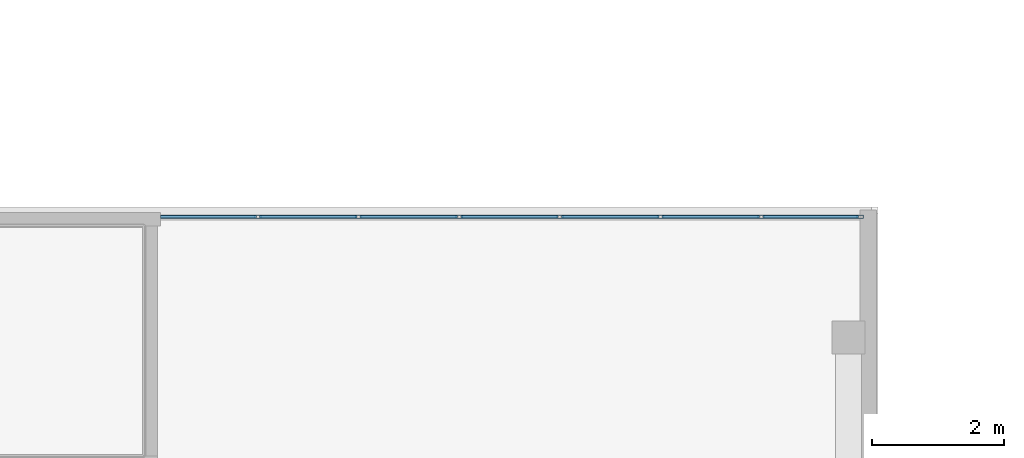
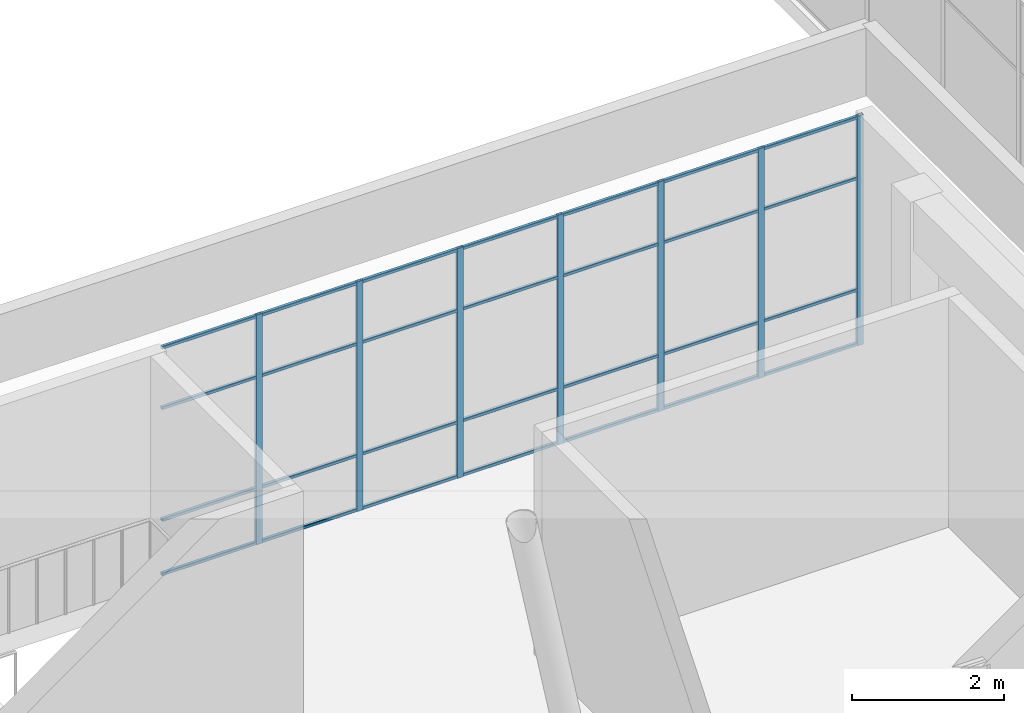
# One storey, part 31 of 72: 35 members, 1 element without a shape of its own.
"""IFC4 building model written with IfcOpenShell, lengths in metres."""

from ifc_helpers import new_model, si_unit, direction, frame, origin, origin_2d, place, context, subcontext, project, spatial, hollow_rectangle, extrude, material, layer, layer_set, material_profile, profile_set, type_object, element, aggregate, save


model = new_model("IFC4")

# Units and contexts
model_context = context("Model", 3, precision=1e-05, world=origin(), true_north=direction((0.0, 1.0)))
body_context = subcontext(model_context, "Body", "Model", "MODEL_VIEW")
ifc_project = project(units=[si_unit("LENGTHUNIT", "METRE"), si_unit("AREAUNIT", "SQUARE_METRE"), si_unit("VOLUMEUNIT", "CUBIC_METRE"), si_unit("PLANEANGLEUNIT", "RADIAN"), si_unit("MASSUNIT", "GRAM", prefix="KILO")], contexts=[model_context])

# Site, building, storey
site_placement = place(None, origin())
site = spatial("IfcSite", under=ifc_project, at=site_placement, CompositionType="ELEMENT")
building_placement = place(site_placement, origin())
building = spatial("IfcBuilding", under=site, at=building_placement, Name="Tuart Plaza Theatre", CompositionType="ELEMENT")
storey_placement = place(building_placement, frame((0.0, 0.0, 13.5)))
storey = spatial("IfcBuildingStorey", under=building, at=storey_placement, Name="L03", CompositionType="ELEMENT", Elevation=13.5)

# Curtain wall, members
ifc_material_1 = material(Name="Aluminium and glass", Category="aluminium")
ifc_layer = layer(ifc_material_1, 0.10009765625)
ifc_layer_set = layer_set([ifc_layer], Name="CURTAIN WALL 1500 module")
curtain_wall_type = type_object("IfcCurtainWallType", Name="CURTAIN WALL 1500 module", PredefinedType="NOTDEFINED", material=ifc_layer_set)
curtain_wall_placement = place(storey_placement, origin())
curtain_wall = element("IfcCurtainWall", 1, at=curtain_wall_placement, inside=storey, type_object=curtain_wall_type, Name="CW45", PredefinedType="NOTDEFINED")
ifc_material_2 = material(Name="Aluminium 6063-T5", Category="aluminium")
ifc_material_profile_1 = material_profile(ifc_material_2, hollow_rectangle(XDim=0.050048828125, YDim=0.10009765625, WallThickness=0.00390625, InnerFilletRadius=0.00390625, OuterFilletRadius=0.008056640625, at=origin_2d()), Name="RHS 100x50x4")
ifc_profile_set_1 = profile_set([ifc_material_profile_1], Name="Aluminium 6063-T5")
member_type_1 = type_object("IfcMemberType", Name="MULLION RHS 100x50x4", PredefinedType="MULLION", material=ifc_profile_set_1)
member_1_placement = place(storey_placement, frame((100.930419921875, 79.8369140625, 0.0), z_axis=(0.0, 0.0, 1.0), x_axis=(0.0, 1.0, 0.0)))
member_1 = element("IfcMember", 2, at=member_1_placement, type_object=member_type_1, Name="CW45 mullion 2", PredefinedType="MULLION", context=body_context, shape_type="SweptSolid", body=[
    extrude(hollow_rectangle(XDim=0.050048828125, YDim=0.10009765625, WallThickness=0.00390625, InnerFilletRadius=0.00390625, OuterFilletRadius=0.008056640625, at=origin_2d()), origin(), (0.0, 0.0, 1.0), 3.699951171875),
])
member_2_placement = place(storey_placement, frame((102.4609375, 79.8369140625, 0.0), z_axis=(0.0, 0.0, 1.0), x_axis=(0.0, 1.0, 0.0)))
member_2 = element("IfcMember", 3, at=member_2_placement, type_object=member_type_1, Name="CW45 mullion 3", PredefinedType="MULLION", context=body_context, shape_type="SweptSolid", body=[
    extrude(hollow_rectangle(XDim=0.050048828125, YDim=0.10009765625, WallThickness=0.00390625, InnerFilletRadius=0.00390625, OuterFilletRadius=0.008056640625, at=origin_2d()), origin(), (0.0, 0.0, 1.0), 3.699951171875),
])
member_3_placement = place(storey_placement, frame((103.9912109375, 79.8369140625, 0.0), z_axis=(0.0, 0.0, 1.0), x_axis=(0.0, 1.0, 0.0)))
member_3 = element("IfcMember", 4, at=member_3_placement, type_object=member_type_1, Name="CW45 mullion 4", PredefinedType="MULLION", context=body_context, shape_type="SweptSolid", body=[
    extrude(hollow_rectangle(XDim=0.050048828125, YDim=0.10009765625, WallThickness=0.00390625, InnerFilletRadius=0.00390625, OuterFilletRadius=0.008056640625, at=origin_2d()), origin(), (0.0, 0.0, 1.0), 3.699951171875),
])
member_4_placement = place(storey_placement, frame((105.521728515625, 79.8369140625, 0.0), z_axis=(0.0, 0.0, 1.0), x_axis=(0.0, 1.0, 0.0)))
member_4 = element("IfcMember", 5, at=member_4_placement, type_object=member_type_1, Name="CW45 mullion 5", PredefinedType="MULLION", context=body_context, shape_type="SweptSolid", body=[
    extrude(hollow_rectangle(XDim=0.050048828125, YDim=0.10009765625, WallThickness=0.00390625, InnerFilletRadius=0.00390625, OuterFilletRadius=0.008056640625, at=origin_2d()), origin(), (0.0, 0.0, 1.0), 3.699951171875),
])
member_5_placement = place(storey_placement, frame((107.05224609375, 79.8369140625, 0.0), z_axis=(0.0, 0.0, 1.0), x_axis=(0.0, 1.0, 0.0)))
member_5 = element("IfcMember", 6, at=member_5_placement, type_object=member_type_1, Name="CW45 mullion 6", PredefinedType="MULLION", context=body_context, shape_type="SweptSolid", body=[
    extrude(hollow_rectangle(XDim=0.050048828125, YDim=0.10009765625, WallThickness=0.00390625, InnerFilletRadius=0.00390625, OuterFilletRadius=0.008056640625, at=origin_2d()), origin(), (0.0, 0.0, 1.0), 3.699951171875),
])
member_6_placement = place(storey_placement, frame((108.58251953125, 79.8369140625, 0.0), z_axis=(0.0, 0.0, 1.0), x_axis=(0.0, 1.0, 0.0)))
member_6 = element("IfcMember", 7, at=member_6_placement, type_object=member_type_1, Name="CW45 mullion 7", PredefinedType="MULLION", context=body_context, shape_type="SweptSolid", body=[
    extrude(hollow_rectangle(XDim=0.050048828125, YDim=0.10009765625, WallThickness=0.00390625, InnerFilletRadius=0.00390625, OuterFilletRadius=0.008056640625, at=origin_2d()), origin(), (0.0, 0.0, 1.0), 3.699951171875),
])
member_7_placement = place(storey_placement, frame((110.087890625, 79.8369140625, 0.0), z_axis=(0.0, 0.0, 1.0), x_axis=(0.0, 1.0, 0.0)))
member_7 = element("IfcMember", 8, at=member_7_placement, type_object=member_type_1, Name="CW45 mullion 8", PredefinedType="MULLION", context=body_context, shape_type="SweptSolid", body=[
    extrude(hollow_rectangle(XDim=0.050048828125, YDim=0.10009765625, WallThickness=0.00390625, InnerFilletRadius=0.00390625, OuterFilletRadius=0.008056640625, at=origin_2d()), origin(), (0.0, 0.0, 1.0), 3.699951171875),
])
ifc_material_3 = material(Name="Aluminium 6063-T5", Category="aluminium")
ifc_material_profile_2 = material_profile(ifc_material_3, hollow_rectangle(XDim=0.050048828125, YDim=0.050048828125, WallThickness=0.00390625, InnerFilletRadius=0.00390625, OuterFilletRadius=0.008056640625, at=origin_2d()), Name="RHS 50x50x4")
ifc_profile_set_2 = profile_set([ifc_material_profile_2], Name="Aluminium 6063-T5")
member_type_2 = type_object("IfcMemberType", Name="TRANSOM RHS 50x50x4", PredefinedType="USERDEFINED", material=ifc_profile_set_2)
member_8_placement = place(storey_placement, frame((99.449951171875, 79.8369140625, 0.02490234375), z_axis=(1.0, 0.0, 0.0), x_axis=(0.0, 1.0, 0.0)))
member_8 = element("IfcMember", 9, at=member_8_placement, type_object=member_type_2, Name="CW45 transom 1.1", ObjectType="TRANSOM", PredefinedType="USERDEFINED", context=body_context, shape_type="SweptSolid", body=[
    extrude(hollow_rectangle(XDim=0.050048828125, YDim=0.050048828125, WallThickness=0.00390625, InnerFilletRadius=0.00390625, OuterFilletRadius=0.008056640625, at=origin_2d()), origin(), (0.0, 0.0, 1.0), 1.45556640625),
])
member_9_placement = place(storey_placement, frame((99.449951171875, 79.8369140625, 0.89990234375), z_axis=(1.0, 0.0, 0.0), x_axis=(0.0, 1.0, 0.0)))
member_9 = element("IfcMember", 10, at=member_9_placement, type_object=member_type_2, Name="CW45 transom 1.2", ObjectType="TRANSOM", PredefinedType="USERDEFINED", context=body_context, shape_type="SweptSolid", body=[
    extrude(hollow_rectangle(XDim=0.050048828125, YDim=0.050048828125, WallThickness=0.00390625, InnerFilletRadius=0.00390625, OuterFilletRadius=0.008056640625, at=origin_2d()), origin(), (0.0, 0.0, 1.0), 1.45556640625),
])
member_10_placement = place(storey_placement, frame((99.449951171875, 79.8369140625, 2.699951171875), z_axis=(1.0, 0.0, 0.0), x_axis=(0.0, 1.0, 0.0)))
member_10 = element("IfcMember", 11, at=member_10_placement, type_object=member_type_2, Name="CW45 transom 1.3", ObjectType="TRANSOM", PredefinedType="USERDEFINED", context=body_context, shape_type="SweptSolid", body=[
    extrude(hollow_rectangle(XDim=0.050048828125, YDim=0.050048828125, WallThickness=0.00390625, InnerFilletRadius=0.00390625, OuterFilletRadius=0.008056640625, at=origin_2d()), origin(), (0.0, 0.0, 1.0), 1.45556640625),
])
member_11_placement = place(storey_placement, frame((99.449951171875, 79.8369140625, 3.675048828125), z_axis=(1.0, 0.0, 0.0), x_axis=(0.0, 1.0, 0.0)))
member_11 = element("IfcMember", 12, at=member_11_placement, type_object=member_type_2, Name="CW45 transom 1.4", ObjectType="TRANSOM", PredefinedType="USERDEFINED", context=body_context, shape_type="SweptSolid", body=[
    extrude(hollow_rectangle(XDim=0.050048828125, YDim=0.050048828125, WallThickness=0.00390625, InnerFilletRadius=0.00390625, OuterFilletRadius=0.008056640625, at=origin_2d()), origin(), (0.0, 0.0, 1.0), 1.45556640625),
])
member_12_placement = place(storey_placement, frame((100.955322265625, 79.8369140625, 0.02490234375), z_axis=(1.0, 0.0, 0.0), x_axis=(0.0, 1.0, 0.0)))
member_12 = element("IfcMember", 13, at=member_12_placement, type_object=member_type_2, Name="CW45 transom 2.1", ObjectType="TRANSOM", PredefinedType="USERDEFINED", context=body_context, shape_type="SweptSolid", body=[
    extrude(hollow_rectangle(XDim=0.050048828125, YDim=0.050048828125, WallThickness=0.00390625, InnerFilletRadius=0.00390625, OuterFilletRadius=0.008056640625, at=origin_2d()), origin(), (0.0, 0.0, 1.0), 1.48046875),
])
member_13_placement = place(storey_placement, frame((100.955322265625, 79.8369140625, 0.89990234375), z_axis=(1.0, 0.0, 0.0), x_axis=(0.0, 1.0, 0.0)))
member_13 = element("IfcMember", 14, at=member_13_placement, type_object=member_type_2, Name="CW45 transom 2.2", ObjectType="TRANSOM", PredefinedType="USERDEFINED", context=body_context, shape_type="SweptSolid", body=[
    extrude(hollow_rectangle(XDim=0.050048828125, YDim=0.050048828125, WallThickness=0.00390625, InnerFilletRadius=0.00390625, OuterFilletRadius=0.008056640625, at=origin_2d()), origin(), (0.0, 0.0, 1.0), 1.48046875),
])
member_14_placement = place(storey_placement, frame((100.955322265625, 79.8369140625, 2.699951171875), z_axis=(1.0, 0.0, 0.0), x_axis=(0.0, 1.0, 0.0)))
member_14 = element("IfcMember", 15, at=member_14_placement, type_object=member_type_2, Name="CW45 transom 2.3", ObjectType="TRANSOM", PredefinedType="USERDEFINED", context=body_context, shape_type="SweptSolid", body=[
    extrude(hollow_rectangle(XDim=0.050048828125, YDim=0.050048828125, WallThickness=0.00390625, InnerFilletRadius=0.00390625, OuterFilletRadius=0.008056640625, at=origin_2d()), origin(), (0.0, 0.0, 1.0), 1.48046875),
])
member_15_placement = place(storey_placement, frame((100.955322265625, 79.8369140625, 3.675048828125), z_axis=(1.0, 0.0, 0.0), x_axis=(0.0, 1.0, 0.0)))
member_15 = element("IfcMember", 16, at=member_15_placement, type_object=member_type_2, Name="CW45 transom 2.4", ObjectType="TRANSOM", PredefinedType="USERDEFINED", context=body_context, shape_type="SweptSolid", body=[
    extrude(hollow_rectangle(XDim=0.050048828125, YDim=0.050048828125, WallThickness=0.00390625, InnerFilletRadius=0.00390625, OuterFilletRadius=0.008056640625, at=origin_2d()), origin(), (0.0, 0.0, 1.0), 1.48046875),
])
member_16_placement = place(storey_placement, frame((102.48583984375, 79.8369140625, 0.02490234375), z_axis=(1.0, 0.0, 0.0), x_axis=(0.0, 1.0, 0.0)))
member_16 = element("IfcMember", 17, at=member_16_placement, type_object=member_type_2, Name="CW45 transom 3.1", ObjectType="TRANSOM", PredefinedType="USERDEFINED", context=body_context, shape_type="SweptSolid", body=[
    extrude(hollow_rectangle(XDim=0.050048828125, YDim=0.050048828125, WallThickness=0.00390625, InnerFilletRadius=0.00390625, OuterFilletRadius=0.008056640625, at=origin_2d()), origin(), (0.0, 0.0, 1.0), 1.48046875),
])
member_17_placement = place(storey_placement, frame((102.48583984375, 79.8369140625, 0.89990234375), z_axis=(1.0, 0.0, 0.0), x_axis=(0.0, 1.0, 0.0)))
member_17 = element("IfcMember", 18, at=member_17_placement, type_object=member_type_2, Name="CW45 transom 3.2", ObjectType="TRANSOM", PredefinedType="USERDEFINED", context=body_context, shape_type="SweptSolid", body=[
    extrude(hollow_rectangle(XDim=0.050048828125, YDim=0.050048828125, WallThickness=0.00390625, InnerFilletRadius=0.00390625, OuterFilletRadius=0.008056640625, at=origin_2d()), origin(), (0.0, 0.0, 1.0), 1.48046875),
])
member_18_placement = place(storey_placement, frame((102.48583984375, 79.8369140625, 2.699951171875), z_axis=(1.0, 0.0, 0.0), x_axis=(0.0, 1.0, 0.0)))
member_18 = element("IfcMember", 19, at=member_18_placement, type_object=member_type_2, Name="CW45 transom 3.3", ObjectType="TRANSOM", PredefinedType="USERDEFINED", context=body_context, shape_type="SweptSolid", body=[
    extrude(hollow_rectangle(XDim=0.050048828125, YDim=0.050048828125, WallThickness=0.00390625, InnerFilletRadius=0.00390625, OuterFilletRadius=0.008056640625, at=origin_2d()), origin(), (0.0, 0.0, 1.0), 1.48046875),
])
member_19_placement = place(storey_placement, frame((102.48583984375, 79.8369140625, 3.675048828125), z_axis=(1.0, 0.0, 0.0), x_axis=(0.0, 1.0, 0.0)))
member_19 = element("IfcMember", 20, at=member_19_placement, type_object=member_type_2, Name="CW45 transom 3.4", ObjectType="TRANSOM", PredefinedType="USERDEFINED", context=body_context, shape_type="SweptSolid", body=[
    extrude(hollow_rectangle(XDim=0.050048828125, YDim=0.050048828125, WallThickness=0.00390625, InnerFilletRadius=0.00390625, OuterFilletRadius=0.008056640625, at=origin_2d()), origin(), (0.0, 0.0, 1.0), 1.48046875),
])
member_20_placement = place(storey_placement, frame((104.016357421875, 79.8369140625, 0.02490234375), z_axis=(1.0, 0.0, 0.0), x_axis=(0.0, 1.0, 0.0)))
member_20 = element("IfcMember", 21, at=member_20_placement, type_object=member_type_2, Name="CW45 transom 4.1", ObjectType="TRANSOM", PredefinedType="USERDEFINED", context=body_context, shape_type="SweptSolid", body=[
    extrude(hollow_rectangle(XDim=0.050048828125, YDim=0.050048828125, WallThickness=0.00390625, InnerFilletRadius=0.00390625, OuterFilletRadius=0.008056640625, at=origin_2d()), origin(), (0.0, 0.0, 1.0), 1.48046875),
])
member_21_placement = place(storey_placement, frame((104.016357421875, 79.8369140625, 0.89990234375), z_axis=(1.0, 0.0, 0.0), x_axis=(0.0, 1.0, 0.0)))
member_21 = element("IfcMember", 22, at=member_21_placement, type_object=member_type_2, Name="CW45 transom 4.2", ObjectType="TRANSOM", PredefinedType="USERDEFINED", context=body_context, shape_type="SweptSolid", body=[
    extrude(hollow_rectangle(XDim=0.050048828125, YDim=0.050048828125, WallThickness=0.00390625, InnerFilletRadius=0.00390625, OuterFilletRadius=0.008056640625, at=origin_2d()), origin(), (0.0, 0.0, 1.0), 1.48046875),
])
member_22_placement = place(storey_placement, frame((104.016357421875, 79.8369140625, 2.699951171875), z_axis=(1.0, 0.0, 0.0), x_axis=(0.0, 1.0, 0.0)))
member_22 = element("IfcMember", 23, at=member_22_placement, type_object=member_type_2, Name="CW45 transom 4.3", ObjectType="TRANSOM", PredefinedType="USERDEFINED", context=body_context, shape_type="SweptSolid", body=[
    extrude(hollow_rectangle(XDim=0.050048828125, YDim=0.050048828125, WallThickness=0.00390625, InnerFilletRadius=0.00390625, OuterFilletRadius=0.008056640625, at=origin_2d()), origin(), (0.0, 0.0, 1.0), 1.48046875),
])
member_23_placement = place(storey_placement, frame((104.016357421875, 79.8369140625, 3.675048828125), z_axis=(1.0, 0.0, 0.0), x_axis=(0.0, 1.0, 0.0)))
member_23 = element("IfcMember", 24, at=member_23_placement, type_object=member_type_2, Name="CW45 transom 4.4", ObjectType="TRANSOM", PredefinedType="USERDEFINED", context=body_context, shape_type="SweptSolid", body=[
    extrude(hollow_rectangle(XDim=0.050048828125, YDim=0.050048828125, WallThickness=0.00390625, InnerFilletRadius=0.00390625, OuterFilletRadius=0.008056640625, at=origin_2d()), origin(), (0.0, 0.0, 1.0), 1.48046875),
])
member_24_placement = place(storey_placement, frame((105.546630859375, 79.8369140625, 0.02490234375), z_axis=(1.0, 0.0, 0.0), x_axis=(0.0, 1.0, 0.0)))
member_24 = element("IfcMember", 25, at=member_24_placement, type_object=member_type_2, Name="CW45 transom 5.1", ObjectType="TRANSOM", PredefinedType="USERDEFINED", context=body_context, shape_type="SweptSolid", body=[
    extrude(hollow_rectangle(XDim=0.050048828125, YDim=0.050048828125, WallThickness=0.00390625, InnerFilletRadius=0.00390625, OuterFilletRadius=0.008056640625, at=origin_2d()), origin(), (0.0, 0.0, 1.0), 1.48046875),
])
member_25_placement = place(storey_placement, frame((105.546630859375, 79.8369140625, 0.89990234375), z_axis=(1.0, 0.0, 0.0), x_axis=(0.0, 1.0, 0.0)))
member_25 = element("IfcMember", 26, at=member_25_placement, type_object=member_type_2, Name="CW45 transom 5.2", ObjectType="TRANSOM", PredefinedType="USERDEFINED", context=body_context, shape_type="SweptSolid", body=[
    extrude(hollow_rectangle(XDim=0.050048828125, YDim=0.050048828125, WallThickness=0.00390625, InnerFilletRadius=0.00390625, OuterFilletRadius=0.008056640625, at=origin_2d()), origin(), (0.0, 0.0, 1.0), 1.48046875),
])
member_26_placement = place(storey_placement, frame((105.546630859375, 79.8369140625, 2.699951171875), z_axis=(1.0, 0.0, 0.0), x_axis=(0.0, 1.0, 0.0)))
member_26 = element("IfcMember", 27, at=member_26_placement, type_object=member_type_2, Name="CW45 transom 5.3", ObjectType="TRANSOM", PredefinedType="USERDEFINED", context=body_context, shape_type="SweptSolid", body=[
    extrude(hollow_rectangle(XDim=0.050048828125, YDim=0.050048828125, WallThickness=0.00390625, InnerFilletRadius=0.00390625, OuterFilletRadius=0.008056640625, at=origin_2d()), origin(), (0.0, 0.0, 1.0), 1.48046875),
])
member_27_placement = place(storey_placement, frame((105.546630859375, 79.8369140625, 3.675048828125), z_axis=(1.0, 0.0, 0.0), x_axis=(0.0, 1.0, 0.0)))
member_27 = element("IfcMember", 28, at=member_27_placement, type_object=member_type_2, Name="CW45 transom 5.4", ObjectType="TRANSOM", PredefinedType="USERDEFINED", context=body_context, shape_type="SweptSolid", body=[
    extrude(hollow_rectangle(XDim=0.050048828125, YDim=0.050048828125, WallThickness=0.00390625, InnerFilletRadius=0.00390625, OuterFilletRadius=0.008056640625, at=origin_2d()), origin(), (0.0, 0.0, 1.0), 1.48046875),
])
member_28_placement = place(storey_placement, frame((107.0771484375, 79.8369140625, 0.02490234375), z_axis=(1.0, 0.0, 0.0), x_axis=(0.0, 1.0, 0.0)))
member_28 = element("IfcMember", 29, at=member_28_placement, type_object=member_type_2, Name="CW45 transom 6.1", ObjectType="TRANSOM", PredefinedType="USERDEFINED", context=body_context, shape_type="SweptSolid", body=[
    extrude(hollow_rectangle(XDim=0.050048828125, YDim=0.050048828125, WallThickness=0.00390625, InnerFilletRadius=0.00390625, OuterFilletRadius=0.008056640625, at=origin_2d()), origin(), (0.0, 0.0, 1.0), 1.48046875),
])
member_29_placement = place(storey_placement, frame((107.0771484375, 79.8369140625, 0.89990234375), z_axis=(1.0, 0.0, 0.0), x_axis=(0.0, 1.0, 0.0)))
member_29 = element("IfcMember", 30, at=member_29_placement, type_object=member_type_2, Name="CW45 transom 6.2", ObjectType="TRANSOM", PredefinedType="USERDEFINED", context=body_context, shape_type="SweptSolid", body=[
    extrude(hollow_rectangle(XDim=0.050048828125, YDim=0.050048828125, WallThickness=0.00390625, InnerFilletRadius=0.00390625, OuterFilletRadius=0.008056640625, at=origin_2d()), origin(), (0.0, 0.0, 1.0), 1.48046875),
])
member_30_placement = place(storey_placement, frame((107.0771484375, 79.8369140625, 2.699951171875), z_axis=(1.0, 0.0, 0.0), x_axis=(0.0, 1.0, 0.0)))
member_30 = element("IfcMember", 31, at=member_30_placement, type_object=member_type_2, Name="CW45 transom 6.3", ObjectType="TRANSOM", PredefinedType="USERDEFINED", context=body_context, shape_type="SweptSolid", body=[
    extrude(hollow_rectangle(XDim=0.050048828125, YDim=0.050048828125, WallThickness=0.00390625, InnerFilletRadius=0.00390625, OuterFilletRadius=0.008056640625, at=origin_2d()), origin(), (0.0, 0.0, 1.0), 1.48046875),
])
member_31_placement = place(storey_placement, frame((107.0771484375, 79.8369140625, 3.675048828125), z_axis=(1.0, 0.0, 0.0), x_axis=(0.0, 1.0, 0.0)))
member_31 = element("IfcMember", 32, at=member_31_placement, type_object=member_type_2, Name="CW45 transom 6.4", ObjectType="TRANSOM", PredefinedType="USERDEFINED", context=body_context, shape_type="SweptSolid", body=[
    extrude(hollow_rectangle(XDim=0.050048828125, YDim=0.050048828125, WallThickness=0.00390625, InnerFilletRadius=0.00390625, OuterFilletRadius=0.008056640625, at=origin_2d()), origin(), (0.0, 0.0, 1.0), 1.48046875),
])
member_32_placement = place(storey_placement, frame((108.607666015625, 79.8369140625, 0.02490234375), z_axis=(1.0, 0.0, 0.0), x_axis=(0.0, 1.0, 0.0)))
member_32 = element("IfcMember", 33, at=member_32_placement, type_object=member_type_2, Name="CW45 transom 7.1", ObjectType="TRANSOM", PredefinedType="USERDEFINED", context=body_context, shape_type="SweptSolid", body=[
    extrude(hollow_rectangle(XDim=0.050048828125, YDim=0.050048828125, WallThickness=0.00390625, InnerFilletRadius=0.00390625, OuterFilletRadius=0.008056640625, at=origin_2d()), origin(), (0.0, 0.0, 1.0), 1.455322265625),
])
member_33_placement = place(storey_placement, frame((108.607666015625, 79.8369140625, 0.89990234375), z_axis=(1.0, 0.0, 0.0), x_axis=(0.0, 1.0, 0.0)))
member_33 = element("IfcMember", 34, at=member_33_placement, type_object=member_type_2, Name="CW45 transom 7.2", ObjectType="TRANSOM", PredefinedType="USERDEFINED", context=body_context, shape_type="SweptSolid", body=[
    extrude(hollow_rectangle(XDim=0.050048828125, YDim=0.050048828125, WallThickness=0.00390625, InnerFilletRadius=0.00390625, OuterFilletRadius=0.008056640625, at=origin_2d()), origin(), (0.0, 0.0, 1.0), 1.455322265625),
])
member_34_placement = place(storey_placement, frame((108.607666015625, 79.8369140625, 2.699951171875), z_axis=(1.0, 0.0, 0.0), x_axis=(0.0, 1.0, 0.0)))
member_34 = element("IfcMember", 35, at=member_34_placement, type_object=member_type_2, Name="CW45 transom 7.3", ObjectType="TRANSOM", PredefinedType="USERDEFINED", context=body_context, shape_type="SweptSolid", body=[
    extrude(hollow_rectangle(XDim=0.050048828125, YDim=0.050048828125, WallThickness=0.00390625, InnerFilletRadius=0.00390625, OuterFilletRadius=0.008056640625, at=origin_2d()), origin(), (0.0, 0.0, 1.0), 1.455322265625),
])
member_35_placement = place(storey_placement, frame((108.607666015625, 79.8369140625, 3.675048828125), z_axis=(1.0, 0.0, 0.0), x_axis=(0.0, 1.0, 0.0)))
member_35 = element("IfcMember", 36, at=member_35_placement, type_object=member_type_2, Name="CW45 transom 7.4", ObjectType="TRANSOM", PredefinedType="USERDEFINED", context=body_context, shape_type="SweptSolid", body=[
    extrude(hollow_rectangle(XDim=0.050048828125, YDim=0.050048828125, WallThickness=0.00390625, InnerFilletRadius=0.00390625, OuterFilletRadius=0.008056640625, at=origin_2d()), origin(), (0.0, 0.0, 1.0), 1.455322265625),
])
aggregate(curtain_wall, [member_1, member_2, member_3, member_4, member_5, member_6, member_7, member_8, member_9, member_10, member_11, member_12, member_13, member_14, member_15, member_16, member_17, member_18, member_19, member_20, member_21, member_22, member_23, member_24, member_25, member_26, member_27, member_28, member_29, member_30, member_31, member_32, member_33, member_34, member_35])

save(model, "model.ifc")
